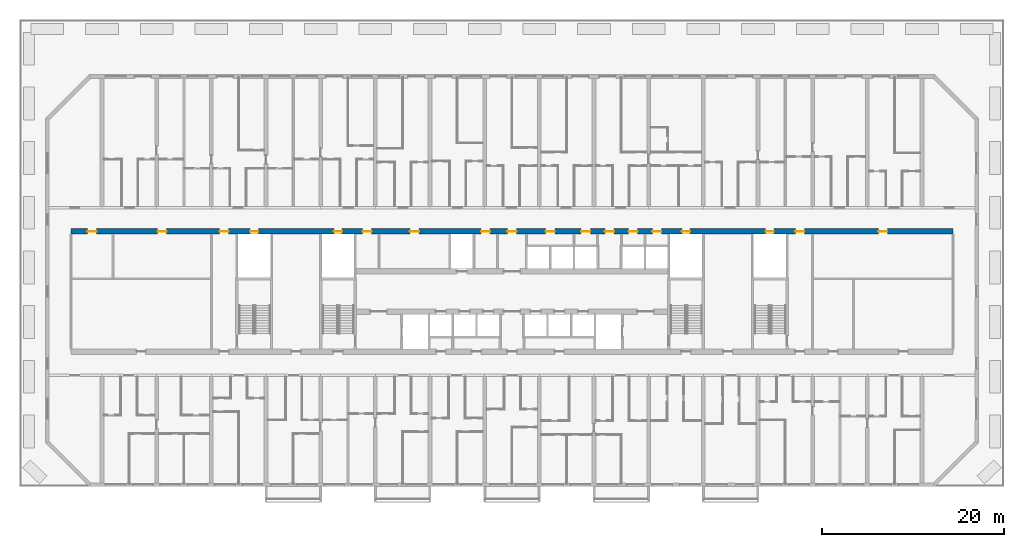
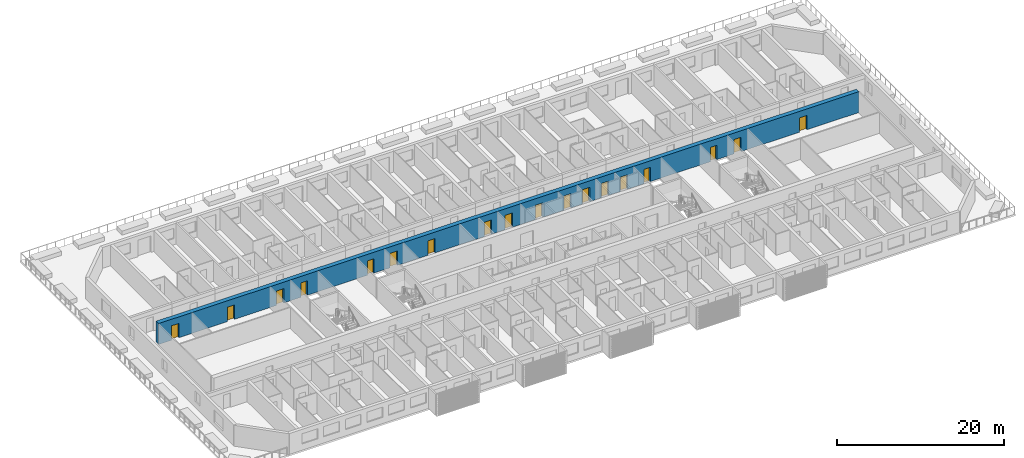
# One storey, part 10 of 23: 18 doors, 1 wall, 18 openings.
"""IFC4 building model written with IfcOpenShell, lengths in metres."""

from ifc_helpers import new_model, si_unit, direction, frame, frame_2d, origin, place, context, subcontext, project, spatial, rectangle, extrude, material, layer, layer_set, type_object, element, fill, save


model = new_model("IFC4")

# Units and contexts
model_context = context("Model", 3, precision=1e-05, world=origin(), true_north=direction((0.0, 1.0)))
body_context = subcontext(model_context, "Body", "Model", "MODEL_VIEW")
ifc_project = project(units=[si_unit("LENGTHUNIT", "METRE"), si_unit("AREAUNIT", "SQUARE_METRE"), si_unit("VOLUMEUNIT", "CUBIC_METRE"), si_unit("PLANEANGLEUNIT", "RADIAN"), si_unit("MASSUNIT", "GRAM", prefix="KILO")], contexts=[model_context])

# Site, building, storey
site_placement = place(None, origin())
site = spatial("IfcSite", under=ifc_project, at=site_placement, CompositionType="ELEMENT")
building_placement = place(site_placement, origin())
building = spatial("IfcBuilding", under=site, at=building_placement, Name="Poui Terraces", CompositionType="ELEMENT")
storey_placement = place(building_placement, frame((0.0, 0.0, 23.39990234375)))
storey = spatial("IfcBuildingStorey", under=building, at=storey_placement, Name="L05", CompositionType="ELEMENT", Elevation=23.39990234375)

# Wall, openings, doors
ifc_material_1 = material(Name="Concrete 80 MPa", Category="concrete")
ifc_layer = layer(ifc_material_1, 0.60009765625)
ifc_layer_set = layer_set([ifc_layer], Name="Concrete 80 MPa")
wall_type = type_object("IfcWallType", Name="SPINE WALL 600 80 MPA", PredefinedType="SOLIDWALL", material=ifc_layer_set)
wall_placement = place(storey_placement, frame((2.60009765625, 27.800048828125, 0.0), z_axis=(0.0, 0.0, 1.0), x_axis=(1.0, 0.0, 0.0)))
wall = element("IfcWall", 1, at=wall_placement, inside=storey, type_object=wall_type, Name="SPINE WALL", PredefinedType="SOLIDWALL", context=body_context, shape_type="SweptSolid", body=[
    extrude(rectangle(XDim=96.7998046875, YDim=0.60009765625, at=frame_2d((48.39990234375, 0.0))), origin(), (0.0, 0.0, 1.0), 3.050048828125),
])
opening_1_placement = place(wall_placement, frame((1.800048828125, 0.0, 0.0)))
opening_1 = element("IfcOpeningElement", 2, at=opening_1_placement, cuts=wall, Name="Opening FD60", PredefinedType="OPENING", context=body_context, shape_type="SweptSolid", body=[
    extrude(rectangle(XDim=1.0, YDim=2.10009765625, at=frame_2d((0.5, 1.050048828125))), frame((0.0, 0.31005859375, 0.0), z_axis=(0.0, -1.0, 0.0), x_axis=(1.0, 0.0, 0.0)), (0.0, 0.0, 1.0), 0.6201171875),
])
opening_2_placement = place(wall_placement, frame((9.5, 0.0, 0.0)))
opening_2 = element("IfcOpeningElement", 3, at=opening_2_placement, cuts=wall, Name="Opening FD60", PredefinedType="OPENING", context=body_context, shape_type="SweptSolid", body=[
    extrude(rectangle(XDim=1.0, YDim=2.10009765625, at=frame_2d((0.5, 1.050048828125))), frame((0.0, 0.31005859375, 0.0), z_axis=(0.0, -1.0, 0.0), x_axis=(1.0, 0.0, 0.0)), (0.0, 0.0, 1.0), 0.6201171875),
])
opening_3_placement = place(wall_placement, frame((16.300048828125, 0.0, 0.0)))
opening_3 = element("IfcOpeningElement", 4, at=opening_3_placement, cuts=wall, Name="Opening FDL", PredefinedType="OPENING", context=body_context, shape_type="SweptSolid", body=[
    extrude(rectangle(XDim=1.0, YDim=2.10009765625, at=frame_2d((0.5, 1.050048828125))), frame((0.0, 0.31005859375, 0.0), z_axis=(0.0, -1.0, 0.0), x_axis=(1.0, 0.0, 0.0)), (0.0, 0.0, 1.0), 0.6201171875),
])
opening_4_placement = place(wall_placement, frame((19.64990234375, 0.0, 0.0)))
opening_4 = element("IfcOpeningElement", 5, at=opening_4_placement, cuts=wall, Name="Opening FDR", PredefinedType="OPENING", context=body_context, shape_type="SweptSolid", body=[
    extrude(rectangle(XDim=0.89990234375, YDim=2.10009765625, at=frame_2d((0.449951171875, 1.050048828125))), frame((0.0, 0.31005859375, 0.0), z_axis=(0.0, -1.0, 0.0), x_axis=(1.0, 0.0, 0.0)), (0.0, 0.0, 1.0), 0.6201171875),
])
opening_5_placement = place(wall_placement, frame((28.85009765625, 0.0, 0.0)))
opening_5 = element("IfcOpeningElement", 6, at=opening_5_placement, cuts=wall, Name="Opening FDR", PredefinedType="OPENING", context=body_context, shape_type="SweptSolid", body=[
    extrude(rectangle(XDim=0.89990234375, YDim=2.10009765625, at=frame_2d((0.449951171875, 1.050048828125))), frame((0.0, 0.31005859375, 0.0), z_axis=(0.0, -1.0, 0.0), x_axis=(1.0, 0.0, 0.0)), (0.0, 0.0, 1.0), 0.6201171875),
])
opening_6_placement = place(wall_placement, frame((32.0, 0.0, 0.0)))
opening_6 = element("IfcOpeningElement", 7, at=opening_6_placement, cuts=wall, Name="Opening FD60", PredefinedType="OPENING", context=body_context, shape_type="SweptSolid", body=[
    extrude(rectangle(XDim=1.0, YDim=2.10009765625, at=frame_2d((0.5, 1.050048828125))), frame((0.0, 0.31005859375, 0.0), z_axis=(0.0, -1.0, 0.0), x_axis=(1.0, 0.0, 0.0)), (0.0, 0.0, 1.0), 0.6201171875),
])
opening_7_placement = place(wall_placement, frame((37.199951171875, 0.0, 0.0)))
opening_7 = element("IfcOpeningElement", 8, at=opening_7_placement, cuts=wall, Name="Opening FD60", PredefinedType="OPENING", context=body_context, shape_type="SweptSolid", body=[
    extrude(rectangle(XDim=1.0, YDim=2.10009765625, at=frame_2d((0.5, 1.050048828125))), frame((0.0, 0.31005859375, 0.0), z_axis=(0.0, -1.0, 0.0), x_axis=(1.0, 0.0, 0.0)), (0.0, 0.0, 1.0), 0.6201171875),
])
opening_8_placement = place(wall_placement, frame((45.0, 0.0, 0.0)))
opening_8 = element("IfcOpeningElement", 9, at=opening_8_placement, cuts=wall, Name="Opening FD60", PredefinedType="OPENING", context=body_context, shape_type="SweptSolid", body=[
    extrude(rectangle(XDim=1.0, YDim=2.10009765625, at=frame_2d((0.5, 1.050048828125))), frame((0.0, 0.31005859375, 0.0), z_axis=(0.0, -1.0, 0.0), x_axis=(1.0, 0.0, 0.0)), (0.0, 0.0, 1.0), 0.6201171875),
])
opening_9_placement = place(wall_placement, frame((47.89990234375, 0.0, 0.0)))
opening_9 = element("IfcOpeningElement", 10, at=opening_9_placement, cuts=wall, Name="Opening FDL", PredefinedType="OPENING", context=body_context, shape_type="SweptSolid", body=[
    extrude(rectangle(XDim=1.0, YDim=2.10009765625, at=frame_2d((0.5, 1.050048828125))), frame((0.0, 0.31005859375, 0.0), z_axis=(0.0, -1.0, 0.0), x_axis=(1.0, 0.0, 0.0)), (0.0, 0.0, 1.0), 0.6201171875),
])
opening_10_placement = place(wall_placement, frame((52.10009765625, 0.0, 0.0)))
opening_10 = element("IfcOpeningElement", 11, at=opening_10_placement, cuts=wall, Name="Opening FD60", PredefinedType="OPENING", context=body_context, shape_type="SweptSolid", body=[
    extrude(rectangle(XDim=1.0, YDim=2.10009765625, at=frame_2d((0.5, 1.050048828125))), frame((0.0, 0.31005859375, 0.0), z_axis=(0.0, -1.0, 0.0), x_axis=(1.0, 0.0, 0.0)), (0.0, 0.0, 1.0), 0.6201171875),
])
opening_11_placement = place(wall_placement, frame((56.0, 0.0, 0.0)))
opening_11 = element("IfcOpeningElement", 12, at=opening_11_placement, cuts=wall, Name="Opening FD60", PredefinedType="OPENING", context=body_context, shape_type="SweptSolid", body=[
    extrude(rectangle(XDim=1.0, YDim=2.10009765625, at=frame_2d((0.5, 1.050048828125))), frame((0.0, 0.31005859375, 0.0), z_axis=(0.0, -1.0, 0.0), x_axis=(1.0, 0.0, 0.0)), (0.0, 0.0, 1.0), 0.6201171875),
])
opening_12_placement = place(wall_placement, frame((58.60009765625, 0.0, 0.0)))
opening_12 = element("IfcOpeningElement", 13, at=opening_12_placement, cuts=wall, Name="Opening FD60", PredefinedType="OPENING", context=body_context, shape_type="SweptSolid", body=[
    extrude(rectangle(XDim=1.0, YDim=2.10009765625, at=frame_2d((0.5, 1.050048828125))), frame((0.0, 0.31005859375, 0.0), z_axis=(0.0, -1.0, 0.0), x_axis=(1.0, 0.0, 0.0)), (0.0, 0.0, 1.0), 0.6201171875),
])
opening_13_placement = place(wall_placement, frame((61.199951171875, 0.0, 0.0)))
opening_13 = element("IfcOpeningElement", 14, at=opening_13_placement, cuts=wall, Name="Opening FD60", PredefinedType="OPENING", context=body_context, shape_type="SweptSolid", body=[
    extrude(rectangle(XDim=1.0, YDim=2.10009765625, at=frame_2d((0.5, 1.050048828125))), frame((0.0, 0.31005859375, 0.0), z_axis=(0.0, -1.0, 0.0), x_axis=(1.0, 0.0, 0.0)), (0.0, 0.0, 1.0), 0.6201171875),
])
opening_14_placement = place(wall_placement, frame((63.800048828125, 0.0, 0.0)))
opening_14 = element("IfcOpeningElement", 15, at=opening_14_placement, cuts=wall, Name="Opening FD60", PredefinedType="OPENING", context=body_context, shape_type="SweptSolid", body=[
    extrude(rectangle(XDim=1.0, YDim=2.10009765625, at=frame_2d((0.5, 1.050048828125))), frame((0.0, 0.31005859375, 0.0), z_axis=(0.0, -1.0, 0.0), x_axis=(1.0, 0.0, 0.0)), (0.0, 0.0, 1.0), 0.6201171875),
])
opening_15_placement = place(wall_placement, frame((67.050048828125, 0.0, 0.0)))
opening_15 = element("IfcOpeningElement", 16, at=opening_15_placement, cuts=wall, Name="Opening FDR", PredefinedType="OPENING", context=body_context, shape_type="SweptSolid", body=[
    extrude(rectangle(XDim=0.89990234375, YDim=2.10009765625, at=frame_2d((0.449951171875, 1.050048828125))), frame((0.0, 0.31005859375, 0.0), z_axis=(0.0, -1.0, 0.0), x_axis=(1.0, 0.0, 0.0)), (0.0, 0.0, 1.0), 0.6201171875),
])
opening_16_placement = place(wall_placement, frame((76.25, 0.0, 0.0)))
opening_16 = element("IfcOpeningElement", 17, at=opening_16_placement, cuts=wall, Name="Opening FDR", PredefinedType="OPENING", context=body_context, shape_type="SweptSolid", body=[
    extrude(rectangle(XDim=0.89990234375, YDim=2.10009765625, at=frame_2d((0.449951171875, 1.050048828125))), frame((0.0, 0.31005859375, 0.0), z_axis=(0.0, -1.0, 0.0), x_axis=(1.0, 0.0, 0.0)), (0.0, 0.0, 1.0), 0.6201171875),
])
opening_17_placement = place(wall_placement, frame((79.5, 0.0, 0.0)))
opening_17 = element("IfcOpeningElement", 18, at=opening_17_placement, cuts=wall, Name="Opening FDL", PredefinedType="OPENING", context=body_context, shape_type="SweptSolid", body=[
    extrude(rectangle(XDim=1.0, YDim=2.10009765625, at=frame_2d((0.5, 1.050048828125))), frame((0.0, 0.31005859375, 0.0), z_axis=(0.0, -1.0, 0.0), x_axis=(1.0, 0.0, 0.0)), (0.0, 0.0, 1.0), 0.6201171875),
])
opening_18_placement = place(wall_placement, frame((88.60009765625, 0.0, 0.0)))
opening_18 = element("IfcOpeningElement", 19, at=opening_18_placement, cuts=wall, Name="Opening D100", PredefinedType="OPENING", context=body_context, shape_type="SweptSolid", body=[
    extrude(rectangle(XDim=1.0, YDim=2.10009765625, at=frame_2d((0.5, 1.050048828125))), frame((0.0, 0.31005859375, 0.0), z_axis=(0.0, -1.0, 0.0), x_axis=(1.0, 0.0, 0.0)), (0.0, 0.0, 1.0), 0.6201171875),
])
ifc_material_2 = material(Name="Solid core timber door", Category="wood")
door_type_1 = type_object("IfcDoorType", Name="ACCESSIBLE INTERNAL DOOR 1000 X 2100", OperationType="NOTDEFINED", PredefinedType="DOOR", material=ifc_material_2)
door_1_placement = place(opening_18_placement, origin())
door_1 = element("IfcDoor", 20, at=door_1_placement, inside=storey, type_object=door_type_1, Name="ACCESSIBLE INTERNAL DOOR 018", OperationType="SINGLE_SWING_LEFT", OverallHeight=2.10009765625, OverallWidth=1.0, PredefinedType="DOOR", context=body_context, shape_type="SweptSolid", body=[
    extrude(rectangle(XDim=1.0, YDim=2.10009765625, at=frame_2d((0.5, 1.050048828125))), frame((0.0, 0.02490234375, 0.0), z_axis=(0.0, -1.0, 0.0), x_axis=(1.0, 0.0, 0.0)), (0.0, 0.0, 1.0), 0.050048828125),
])
fill(opening_18, door_1)
ifc_material_3 = material(Name="Steel fire door", Category="steel")
door_type_2 = type_object("IfcDoorType", Name="LOBBY FIRE DOOR 1000 X 2100", OperationType="NOTDEFINED", PredefinedType="DOOR", material=ifc_material_3)
door_2_placement = place(opening_3_placement, origin())
door_2 = element("IfcDoor", 21, at=door_2_placement, inside=storey, type_object=door_type_2, Name="LOBBY FIRE DOOR 003", OperationType="SINGLE_SWING_LEFT", OverallHeight=2.10009765625, OverallWidth=1.0, PredefinedType="DOOR", context=body_context, shape_type="SweptSolid", body=[
    extrude(rectangle(XDim=1.0, YDim=2.10009765625, at=frame_2d((0.5, 1.050048828125))), frame((0.0, 0.02490234375, 0.0), z_axis=(0.0, -1.0, 0.0), x_axis=(1.0, 0.0, 0.0)), (0.0, 0.0, 1.0), 0.050048828125),
])
fill(opening_3, door_2)
door_3_placement = place(opening_9_placement, origin())
door_3 = element("IfcDoor", 22, at=door_3_placement, inside=storey, type_object=door_type_2, Name="LOBBY FIRE DOOR 009", OperationType="SINGLE_SWING_RIGHT", OverallHeight=2.10009765625, OverallWidth=1.0, PredefinedType="DOOR", context=body_context, shape_type="SweptSolid", body=[
    extrude(rectangle(XDim=1.0, YDim=2.10009765625, at=frame_2d((0.5, 1.050048828125))), frame((0.0, 0.02490234375, 0.0), z_axis=(0.0, -1.0, 0.0), x_axis=(1.0, 0.0, 0.0)), (0.0, 0.0, 1.0), 0.050048828125),
])
fill(opening_9, door_3)
door_4_placement = place(opening_17_placement, origin())
door_4 = element("IfcDoor", 23, at=door_4_placement, inside=storey, type_object=door_type_2, Name="LOBBY FIRE DOOR 017", OperationType="SINGLE_SWING_RIGHT", OverallHeight=2.10009765625, OverallWidth=1.0, PredefinedType="DOOR", context=body_context, shape_type="SweptSolid", body=[
    extrude(rectangle(XDim=1.0, YDim=2.10009765625, at=frame_2d((0.5, 1.050048828125))), frame((0.0, 0.02490234375, 0.0), z_axis=(0.0, -1.0, 0.0), x_axis=(1.0, 0.0, 0.0)), (0.0, 0.0, 1.0), 0.050048828125),
])
fill(opening_17, door_4)
door_type_3 = type_object("IfcDoorType", Name="RISER CUPBOARD DOOR 900 X 2100", OperationType="NOTDEFINED", PredefinedType="DOOR", material=ifc_material_3)
door_5_placement = place(opening_4_placement, origin())
door_5 = element("IfcDoor", 24, at=door_5_placement, inside=storey, type_object=door_type_3, Name="RISER CUPBOARD DOOR 004", OperationType="SINGLE_SWING_LEFT", OverallHeight=2.10009765625, OverallWidth=0.89990234375, PredefinedType="DOOR", context=body_context, shape_type="SweptSolid", body=[
    extrude(rectangle(XDim=0.89990234375, YDim=2.10009765625, at=frame_2d((0.449951171875, 1.050048828125))), frame((0.0, 0.02490234375, 0.0), z_axis=(0.0, -1.0, 0.0), x_axis=(1.0, 0.0, 0.0)), (0.0, 0.0, 1.0), 0.050048828125),
])
fill(opening_4, door_5)
door_6_placement = place(opening_5_placement, origin())
door_6 = element("IfcDoor", 25, at=door_6_placement, inside=storey, type_object=door_type_3, Name="RISER CUPBOARD DOOR 005", OperationType="SINGLE_SWING_LEFT", OverallHeight=2.10009765625, OverallWidth=0.89990234375, PredefinedType="DOOR", context=body_context, shape_type="SweptSolid", body=[
    extrude(rectangle(XDim=0.89990234375, YDim=2.10009765625, at=frame_2d((0.449951171875, 1.050048828125))), frame((0.0, 0.02490234375, 0.0), z_axis=(0.0, -1.0, 0.0), x_axis=(1.0, 0.0, 0.0)), (0.0, 0.0, 1.0), 0.050048828125),
])
fill(opening_5, door_6)
door_7_placement = place(opening_15_placement, origin())
door_7 = element("IfcDoor", 26, at=door_7_placement, inside=storey, type_object=door_type_3, Name="RISER CUPBOARD DOOR 015", OperationType="SINGLE_SWING_RIGHT", OverallHeight=2.10009765625, OverallWidth=0.89990234375, PredefinedType="DOOR", context=body_context, shape_type="SweptSolid", body=[
    extrude(rectangle(XDim=0.89990234375, YDim=2.10009765625, at=frame_2d((0.449951171875, 1.050048828125))), frame((0.0, 0.02490234375, 0.0), z_axis=(0.0, -1.0, 0.0), x_axis=(1.0, 0.0, 0.0)), (0.0, 0.0, 1.0), 0.050048828125),
])
fill(opening_15, door_7)
door_8_placement = place(opening_16_placement, origin())
door_8 = element("IfcDoor", 27, at=door_8_placement, inside=storey, type_object=door_type_3, Name="RISER CUPBOARD DOOR 016", OperationType="SINGLE_SWING_RIGHT", OverallHeight=2.10009765625, OverallWidth=0.89990234375, PredefinedType="DOOR", context=body_context, shape_type="SweptSolid", body=[
    extrude(rectangle(XDim=0.89990234375, YDim=2.10009765625, at=frame_2d((0.449951171875, 1.050048828125))), frame((0.0, 0.02490234375, 0.0), z_axis=(0.0, -1.0, 0.0), x_axis=(1.0, 0.0, 0.0)), (0.0, 0.0, 1.0), 0.050048828125),
])
fill(opening_16, door_8)
door_type_4 = type_object("IfcDoorType", Name="SERVICE ROOM FIRE DOOR 1000 X 2100", OperationType="NOTDEFINED", PredefinedType="DOOR", material=ifc_material_3)
door_9_placement = place(opening_1_placement, origin())
door_9 = element("IfcDoor", 28, at=door_9_placement, inside=storey, type_object=door_type_4, Name="SERVICE ROOM FIRE DOOR 001", OperationType="SINGLE_SWING_LEFT", OverallHeight=2.10009765625, OverallWidth=1.0, PredefinedType="DOOR", context=body_context, shape_type="SweptSolid", body=[
    extrude(rectangle(XDim=1.0, YDim=2.10009765625, at=frame_2d((0.5, 1.050048828125))), frame((0.0, 0.02490234375, 0.0), z_axis=(0.0, -1.0, 0.0), x_axis=(1.0, 0.0, 0.0)), (0.0, 0.0, 1.0), 0.050048828125),
])
fill(opening_1, door_9)
door_10_placement = place(opening_2_placement, origin())
door_10 = element("IfcDoor", 29, at=door_10_placement, inside=storey, type_object=door_type_4, Name="SERVICE ROOM FIRE DOOR 002", OperationType="SINGLE_SWING_RIGHT", OverallHeight=2.10009765625, OverallWidth=1.0, PredefinedType="DOOR", context=body_context, shape_type="SweptSolid", body=[
    extrude(rectangle(XDim=1.0, YDim=2.10009765625, at=frame_2d((0.5, 1.050048828125))), frame((0.0, 0.02490234375, 0.0), z_axis=(0.0, -1.0, 0.0), x_axis=(1.0, 0.0, 0.0)), (0.0, 0.0, 1.0), 0.050048828125),
])
fill(opening_2, door_10)
door_11_placement = place(opening_6_placement, origin())
door_11 = element("IfcDoor", 30, at=door_11_placement, inside=storey, type_object=door_type_4, Name="SERVICE ROOM FIRE DOOR 006", OperationType="SINGLE_SWING_RIGHT", OverallHeight=2.10009765625, OverallWidth=1.0, PredefinedType="DOOR", context=body_context, shape_type="SweptSolid", body=[
    extrude(rectangle(XDim=1.0, YDim=2.10009765625, at=frame_2d((0.5, 1.050048828125))), frame((0.0, 0.02490234375, 0.0), z_axis=(0.0, -1.0, 0.0), x_axis=(1.0, 0.0, 0.0)), (0.0, 0.0, 1.0), 0.050048828125),
])
fill(opening_6, door_11)
door_12_placement = place(opening_7_placement, origin())
door_12 = element("IfcDoor", 31, at=door_12_placement, inside=storey, type_object=door_type_4, Name="SERVICE ROOM FIRE DOOR 007", OperationType="SINGLE_SWING_LEFT", OverallHeight=2.10009765625, OverallWidth=1.0, PredefinedType="DOOR", context=body_context, shape_type="SweptSolid", body=[
    extrude(rectangle(XDim=1.0, YDim=2.10009765625, at=frame_2d((0.5, 1.050048828125))), frame((0.0, 0.02490234375, 0.0), z_axis=(0.0, -1.0, 0.0), x_axis=(1.0, 0.0, 0.0)), (0.0, 0.0, 1.0), 0.050048828125),
])
fill(opening_7, door_12)
door_13_placement = place(opening_8_placement, origin())
door_13 = element("IfcDoor", 32, at=door_13_placement, inside=storey, type_object=door_type_4, Name="SERVICE ROOM FIRE DOOR 008", OperationType="SINGLE_SWING_RIGHT", OverallHeight=2.10009765625, OverallWidth=1.0, PredefinedType="DOOR", context=body_context, shape_type="SweptSolid", body=[
    extrude(rectangle(XDim=1.0, YDim=2.10009765625, at=frame_2d((0.5, 1.050048828125))), frame((0.0, 0.02490234375, 0.0), z_axis=(0.0, -1.0, 0.0), x_axis=(1.0, 0.0, 0.0)), (0.0, 0.0, 1.0), 0.050048828125),
])
fill(opening_8, door_13)
door_14_placement = place(opening_10_placement, origin())
door_14 = element("IfcDoor", 33, at=door_14_placement, inside=storey, type_object=door_type_4, Name="SERVICE ROOM FIRE DOOR 010", OperationType="SINGLE_SWING_LEFT", OverallHeight=2.10009765625, OverallWidth=1.0, PredefinedType="DOOR", context=body_context, shape_type="SweptSolid", body=[
    extrude(rectangle(XDim=1.0, YDim=2.10009765625, at=frame_2d((0.5, 1.050048828125))), frame((0.0, 0.02490234375, 0.0), z_axis=(0.0, -1.0, 0.0), x_axis=(1.0, 0.0, 0.0)), (0.0, 0.0, 1.0), 0.050048828125),
])
fill(opening_10, door_14)
door_15_placement = place(opening_11_placement, origin())
door_15 = element("IfcDoor", 34, at=door_15_placement, inside=storey, type_object=door_type_4, Name="SERVICE ROOM FIRE DOOR 011", OperationType="SINGLE_SWING_RIGHT", OverallHeight=2.10009765625, OverallWidth=1.0, PredefinedType="DOOR", context=body_context, shape_type="SweptSolid", body=[
    extrude(rectangle(XDim=1.0, YDim=2.10009765625, at=frame_2d((0.5, 1.050048828125))), frame((0.0, 0.02490234375, 0.0), z_axis=(0.0, -1.0, 0.0), x_axis=(1.0, 0.0, 0.0)), (0.0, 0.0, 1.0), 0.050048828125),
])
fill(opening_11, door_15)
door_16_placement = place(opening_12_placement, origin())
door_16 = element("IfcDoor", 35, at=door_16_placement, inside=storey, type_object=door_type_4, Name="SERVICE ROOM FIRE DOOR 012", OperationType="SINGLE_SWING_LEFT", OverallHeight=2.10009765625, OverallWidth=1.0, PredefinedType="DOOR", context=body_context, shape_type="SweptSolid", body=[
    extrude(rectangle(XDim=1.0, YDim=2.10009765625, at=frame_2d((0.5, 1.050048828125))), frame((0.0, 0.02490234375, 0.0), z_axis=(0.0, -1.0, 0.0), x_axis=(1.0, 0.0, 0.0)), (0.0, 0.0, 1.0), 0.050048828125),
])
fill(opening_12, door_16)
door_17_placement = place(opening_13_placement, origin())
door_17 = element("IfcDoor", 36, at=door_17_placement, inside=storey, type_object=door_type_4, Name="SERVICE ROOM FIRE DOOR 013", OperationType="SINGLE_SWING_RIGHT", OverallHeight=2.10009765625, OverallWidth=1.0, PredefinedType="DOOR", context=body_context, shape_type="SweptSolid", body=[
    extrude(rectangle(XDim=1.0, YDim=2.10009765625, at=frame_2d((0.5, 1.050048828125))), frame((0.0, 0.02490234375, 0.0), z_axis=(0.0, -1.0, 0.0), x_axis=(1.0, 0.0, 0.0)), (0.0, 0.0, 1.0), 0.050048828125),
])
fill(opening_13, door_17)
door_18_placement = place(opening_14_placement, origin())
door_18 = element("IfcDoor", 37, at=door_18_placement, inside=storey, type_object=door_type_4, Name="SERVICE ROOM FIRE DOOR 014", OperationType="SINGLE_SWING_LEFT", OverallHeight=2.10009765625, OverallWidth=1.0, PredefinedType="DOOR", context=body_context, shape_type="SweptSolid", body=[
    extrude(rectangle(XDim=1.0, YDim=2.10009765625, at=frame_2d((0.5, 1.050048828125))), frame((0.0, 0.02490234375, 0.0), z_axis=(0.0, -1.0, 0.0), x_axis=(1.0, 0.0, 0.0)), (0.0, 0.0, 1.0), 0.050048828125),
])
fill(opening_14, door_18)

save(model, "model.ifc")
